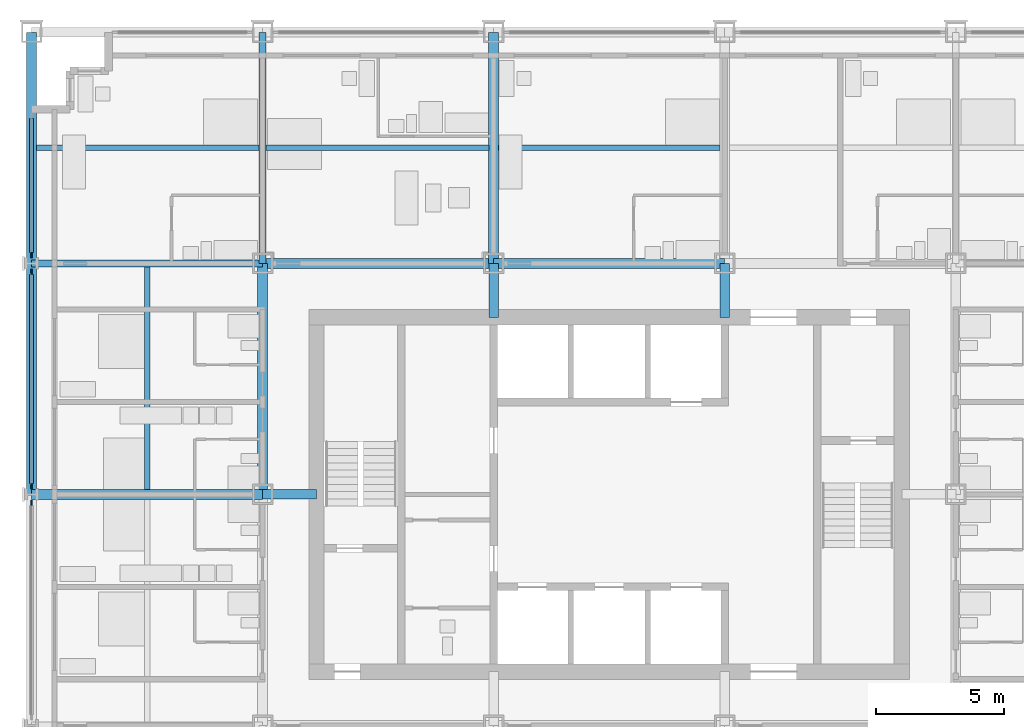
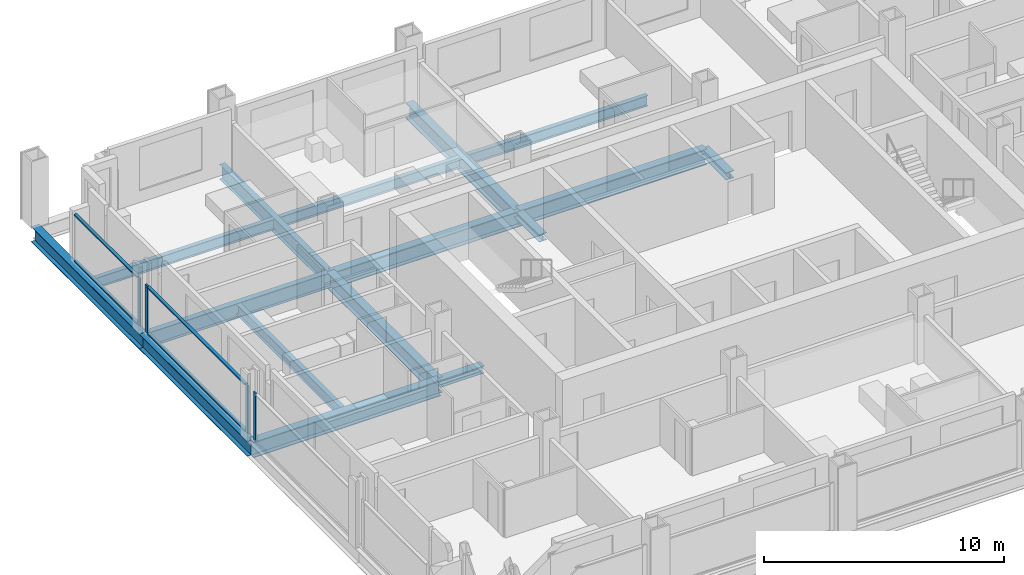
# One storey, part 4 of 16: 13 beams, 11 members, 3 elements without a shape of their own.
"""IFC4 building model written with IfcOpenShell, lengths in metres."""

from ifc_helpers import new_model, si_unit, direction, frame, origin, origin_2d, place, context, subcontext, project, spatial, rectangle, i_section, extrude, material, material_profile, profile_set, type_object, element, aggregate, save


model = new_model("IFC4")

# Units and contexts
model_context = context("Model", 3, precision=1e-05, world=origin(), true_north=direction((0.0, 1.0)))
body_context = subcontext(model_context, "Body", "Model", "MODEL_VIEW")
ifc_project = project(units=[si_unit("LENGTHUNIT", "METRE"), si_unit("AREAUNIT", "SQUARE_METRE"), si_unit("VOLUMEUNIT", "CUBIC_METRE"), si_unit("PLANEANGLEUNIT", "RADIAN"), si_unit("MASSUNIT", "GRAM", prefix="KILO")], contexts=[model_context])

# Site, building, storey
site_placement = place(None, origin())
site = spatial("IfcSite", under=ifc_project, at=site_placement, CompositionType="ELEMENT")
building_placement = place(site_placement, origin())
building = spatial("IfcBuilding", under=site, at=building_placement, Name="Loomwork Tower", CompositionType="ELEMENT")
storey_placement = place(building_placement, frame((0.0, 0.0, 111.199951171875)))
storey = spatial("IfcBuildingStorey", under=building, at=storey_placement, Name="L29", CompositionType="ELEMENT", Elevation=111.199951171875)

# Beams
ifc_material_1 = material(Name="Steel ASTM A992", Category="steel")
ifc_material_profile_1 = material_profile(ifc_material_1, i_section(OverallWidth=0.383544921875, OverallDepth=0.794921875, WebThickness=0.02099609375, FlangeThickness=0.0380859375, at=origin_2d()), Name="W30x235")
ifc_profile_set_1 = profile_set([ifc_material_profile_1], Name="Steel ASTM A992")
beam_type_1 = type_object("IfcBeamType", Name="CORE FLANK GIRDER W30x235", PredefinedType="BEAM", material=ifc_profile_set_1)
for number, where, z_axis, x_axis, name in (
    (1, (0.0, 18.0, -0.597412109375), (1.0, 0.0, 0.0), (0.0, 1.0, 0.0), "Core Flank Girder F/2-F/3 L29"),
    (2, (9.0, 27.0, -0.597412109375), (1.0, 0.0, 0.0), (0.0, 1.0, 0.0), "Core Flank Girder G/3-G/4 L29"),
    (3, (18.0, 27.0, -0.597412109375), (1.0, 0.0, 0.0), (0.0, 1.0, 0.0), "Core Flank Girder G/4-G/5 L29"),
    (4, (9.0, 18.0, -0.597412109375), (0.0, 1.0, 0.0), (-1.0, 0.0, 0.0), "Core Flank Girder F/3-G/3 L29"),
    (5, (18.0, 27.0, -0.597412109375), (0.0, 1.0, 0.0), (-1.0, 0.0, 0.0), "Core Flank Girder G/4-H/4 L29"),
):
    element("IfcBeam", number, at=place(storey_placement, frame(where, z_axis=z_axis, x_axis=x_axis)), inside=storey, type_object=beam_type_1, Name=name, PredefinedType="BEAM", context=body_context, shape_type="SweptSolid", body=[
        extrude(i_section(OverallWidth=0.383544921875, OverallDepth=0.794921875, WebThickness=0.02099609375, FlangeThickness=0.0380859375, at=origin_2d()), origin(), (0.0, 0.0, 1.0), 9.0),
    ])

# Members
ifc_material_2 = material(Name="Steel ASTM A992", Category="steel")
ifc_material_profile_2 = material_profile(ifc_material_2, i_section(OverallWidth=0.373291015625, OverallDepth=0.373291015625, WebThickness=0.016357421875, FlangeThickness=0.026123046875, at=origin_2d()), Name="W14x132")
ifc_profile_set_2 = profile_set([ifc_material_profile_2], Name="Steel ASTM A992")
member_type_1 = type_object("IfcMemberType", Name="CORE LINK STRUT W14x132", PredefinedType="STRUT", material=ifc_profile_set_2)
for number, where, z_axis, x_axis, name in (
    (6, (27.0, 27.0, -0.38671875), (0.0, -1.0, 0.0), (1.0, 0.0, 0.0), "Core link strut G/5-27.000,24.900 L29"),
    (7, (18.0, 27.0, -0.38671875), (0.0, -1.0, 0.0), (1.0, 0.0, 0.0), "Core link strut G/4-18.000,24.900 L29"),
    (8, (9.0, 18.0, -0.38671875), (1.0, 0.0, 0.0), (0.0, 1.0, 0.0), "Core link strut F/3-11.100,18.000 L29"),
):
    element("IfcMember", number, at=place(storey_placement, frame(where, z_axis=z_axis, x_axis=x_axis)), inside=storey, type_object=member_type_1, Name=name, PredefinedType="STRUT", context=body_context, shape_type="SweptSolid", body=[
        extrude(i_section(OverallWidth=0.373291015625, OverallDepth=0.373291015625, WebThickness=0.016357421875, FlangeThickness=0.026123046875, at=origin_2d()), origin(), (0.0, 0.0, 1.0), 2.10009765625),
    ])

# Beams
ifc_material_3 = material(Name="Steel ASTM A992", Category="steel")
ifc_material_profile_3 = material_profile(ifc_material_3, i_section(OverallWidth=0.2666015625, OverallDepth=0.761962890625, WebThickness=0.014404296875, FlangeThickness=0.021484375, at=origin_2d()), Name="W30x116")
ifc_profile_set_3 = profile_set([ifc_material_profile_3], Name="Steel ASTM A992")
beam_type_2 = type_object("IfcBeamType", Name="FLOOR GIRDER W30x116", PredefinedType="BEAM", material=ifc_profile_set_3)
for number, where, z_axis, x_axis, name in (
    (9, (0.0, 27.0, -0.5810546875), (1.0, 0.0, 0.0), (0.0, 1.0, 0.0), "Floor Girder G/2-G/3 L29"),
    (10, (9.0, 27.0, -0.5810546875), (0.0, 1.0, 0.0), (-1.0, 0.0, 0.0), "Floor Girder G/3-H/3 L29"),
):
    element("IfcBeam", number, at=place(storey_placement, frame(where, z_axis=z_axis, x_axis=x_axis)), inside=storey, type_object=beam_type_2, Name=name, PredefinedType="BEAM", context=body_context, shape_type="SweptSolid", body=[
        extrude(i_section(OverallWidth=0.2666015625, OverallDepth=0.761962890625, WebThickness=0.014404296875, FlangeThickness=0.021484375, at=origin_2d()), origin(), (0.0, 0.0, 1.0), 9.0),
    ])
ifc_material_4 = material(Name="Steel ASTM A992", Category="steel")
ifc_material_profile_4 = material_profile(ifc_material_4, i_section(OverallWidth=0.2109375, OverallDepth=0.53857421875, WebThickness=0.011474609375, FlangeThickness=0.018798828125, at=origin_2d()), Name="W21x73")
ifc_profile_set_4 = profile_set([ifc_material_profile_4], Name="Steel ASTM A992")
beam_type_3 = type_object("IfcBeamType", Name="FLOOR JOIST W21x73", PredefinedType="JOIST", material=ifc_profile_set_4)
beam_1_placement = place(storey_placement, frame((4.5, 18.19091796875, -0.46923828125), z_axis=(0.0, 1.0, 0.0), x_axis=(-1.0, 0.0, 0.0)))
element("IfcBeam", 11, at=beam_1_placement, inside=storey, type_object=beam_type_3, Name="Floor Joist 4.500,18.000-4.500,27.000 L29", PredefinedType="JOIST", context=body_context, shape_type="SweptSolid", body=[
    extrude(i_section(OverallWidth=0.2109375, OverallDepth=0.53857421875, WebThickness=0.011474609375, FlangeThickness=0.018798828125, at=origin_2d()), origin(), (0.0, 0.0, 1.0), 8.676025390625),
])
beam_2_placement = place(storey_placement, frame((0.18994140625, 31.5, -0.46923828125), z_axis=(1.0, 0.0, 0.0), x_axis=(0.0, 1.0, 0.0)))
element("IfcBeam", 12, at=beam_2_placement, inside=storey, type_object=beam_type_3, Name="Floor Joist 0.000,31.500-9.000,31.500 L29", PredefinedType="JOIST", context=body_context, shape_type="SweptSolid", body=[
    extrude(i_section(OverallWidth=0.2109375, OverallDepth=0.53857421875, WebThickness=0.011474609375, FlangeThickness=0.018798828125, at=origin_2d()), origin(), (0.0, 0.0, 1.0), 8.677001953125),
])
beam_3_placement = place(storey_placement, frame((9.133056640625, 31.5, -0.46923828125), z_axis=(1.0, 0.0, 0.0), x_axis=(0.0, 1.0, 0.0)))
element("IfcBeam", 13, at=beam_3_placement, inside=storey, type_object=beam_type_3, Name="Floor Joist 9.000,31.500-18.000,31.500 L29", PredefinedType="JOIST", context=body_context, shape_type="SweptSolid", body=[
    extrude(i_section(OverallWidth=0.2109375, OverallDepth=0.53857421875, WebThickness=0.011474609375, FlangeThickness=0.018798828125, at=origin_2d()), origin(), (0.0, 0.0, 1.0), 8.676025390625),
])
beam_4_placement = place(storey_placement, frame((18.19091796875, 31.5, -0.46923828125), z_axis=(1.0, 0.0, 0.0), x_axis=(0.0, 1.0, 0.0)))
element("IfcBeam", 14, at=beam_4_placement, inside=storey, type_object=beam_type_3, Name="Floor Joist 18.000,31.500-27.000,31.500 L29", PredefinedType="JOIST", context=body_context, shape_type="SweptSolid", body=[
    extrude(i_section(OverallWidth=0.2109375, OverallDepth=0.53857421875, WebThickness=0.011474609375, FlangeThickness=0.018798828125, at=origin_2d()), origin(), (0.0, 0.0, 1.0), 8.6181640625),
])

# Curtain wall, member
ifc_material_5 = material(Name="Aluminium curtain wall frame", Category="aluminium")
curtain_wall_type = type_object("IfcCurtainWallType", Name="Outer skin glazing hotel", PredefinedType="NOTDEFINED", material=ifc_material_5)
curtain_wall_1_placement = place(storey_placement, origin())
curtain_wall_1 = element("IfcCurtainWall", 15, at=curtain_wall_1_placement, inside=storey, type_object=curtain_wall_type, Name="Outer skin glazing hotel cw/W-9", PredefinedType="NOTDEFINED")
ifc_material_6 = material(Name="Aluminium curtain wall frame", Category="aluminium")
ifc_material_profile_5 = material_profile(ifc_material_6, rectangle(XDim=0.06494140625, YDim=0.199951171875, at=origin_2d()), Name="AL 65x200")
ifc_profile_set_5 = profile_set([ifc_material_profile_5], Name="Aluminium curtain wall frame")
member_type_2 = type_object("IfcMemberType", Name="Outer skin glazing hotel mullion", PredefinedType="MULLION", material=ifc_profile_set_5)
member_1_placement = place(storey_placement, frame((0.0, 17.67529296875, 0.0), z_axis=(0.0, 0.0, 1.0), x_axis=(1.0, 0.0, 0.0)))
member_1 = element("IfcMember", 16, at=member_1_placement, type_object=member_type_2, Name="CW1 mullion 1", PredefinedType="MULLION", context=body_context, shape_type="SweptSolid", body=[
    extrude(rectangle(XDim=0.06494140625, YDim=0.199951171875, at=origin_2d()), origin(), (0.0, 0.0, 1.0), 2.420166015625),
])
aggregate(curtain_wall_1, [member_1])

# Curtain wall, members
curtain_wall_2_placement = place(storey_placement, origin())
curtain_wall_2 = element("IfcCurtainWall", 17, at=curtain_wall_2_placement, inside=storey, type_object=curtain_wall_type, Name="Outer skin glazing hotel cw/W-18", PredefinedType="NOTDEFINED")
member_2_placement = place(storey_placement, frame((0.0, 26.67529296875, 0.0), z_axis=(0.0, 0.0, 1.0), x_axis=(1.0, 0.0, 0.0)))
member_2 = element("IfcMember", 18, at=member_2_placement, type_object=member_type_2, Name="CW1 mullion 1", PredefinedType="MULLION", context=body_context, shape_type="SweptSolid", body=[
    extrude(rectangle(XDim=0.06494140625, YDim=0.199951171875, at=origin_2d()), origin(), (0.0, 0.0, 1.0), 2.420166015625),
])
member_3_placement = place(storey_placement, frame((0.0, 18.32470703125, 0.0), z_axis=(0.0, 0.0, 1.0), x_axis=(1.0, 0.0, 0.0)))
member_3 = element("IfcMember", 19, at=member_3_placement, type_object=member_type_2, Name="CW1 mullion 2", PredefinedType="MULLION", context=body_context, shape_type="SweptSolid", body=[
    extrude(rectangle(XDim=0.06494140625, YDim=0.199951171875, at=origin_2d()), origin(), (0.0, 0.0, 1.0), 2.420166015625),
])

# Curtain wall, member
curtain_wall_3_placement = place(storey_placement, origin())
curtain_wall_3 = element("IfcCurtainWall", 20, at=curtain_wall_3_placement, inside=storey, type_object=curtain_wall_type, Name="Outer skin glazing hotel cw/W-27", PredefinedType="NOTDEFINED")
member_4_placement = place(storey_placement, frame((0.0, 27.32470703125, 0.0), z_axis=(0.0, 0.0, 1.0), x_axis=(1.0, 0.0, 0.0)))
member_4 = element("IfcMember", 21, at=member_4_placement, type_object=member_type_2, Name="CW1 mullion 2", PredefinedType="MULLION", context=body_context, shape_type="SweptSolid", body=[
    extrude(rectangle(XDim=0.06494140625, YDim=0.199951171875, at=origin_2d()), origin(), (0.0, 0.0, 1.0), 2.420166015625),
])

# Member
ifc_material_7 = material(Name="Aluminium curtain wall frame", Category="aluminium")
ifc_material_profile_6 = material_profile(ifc_material_7, rectangle(XDim=0.14990234375, YDim=0.06494140625, at=origin_2d()), Name="AL 65x150")
ifc_profile_set_6 = profile_set([ifc_material_profile_6], Name="Aluminium curtain wall frame")
member_type_3 = type_object("IfcMemberType", Name="Outer skin glazing hotel transom", PredefinedType="USERDEFINED", material=ifc_profile_set_6)
member_5_placement = place(storey_placement, frame((0.0, 26.5751953125, 0.032470703125), z_axis=(0.0, -1.0, 0.0), x_axis=(1.0, 0.0, 0.0)))
member_5 = element("IfcMember", 22, at=member_5_placement, type_object=member_type_3, Name="CW1 transom 1.1", ObjectType="TRANSOM", PredefinedType="USERDEFINED", context=body_context, shape_type="SweptSolid", body=[
    extrude(rectangle(XDim=0.14990234375, YDim=0.06494140625, at=origin_2d()), origin(), (0.0, 0.0, 1.0), 8.150390625),
])

member_6_placement = place(storey_placement, frame((0.0, 26.5751953125, 2.3876953125), z_axis=(0.0, -1.0, 0.0), x_axis=(1.0, 0.0, 0.0)))
member_6 = element("IfcMember", 23, at=member_6_placement, type_object=member_type_3, Name="CW1 transom 1.2", ObjectType="TRANSOM", PredefinedType="USERDEFINED", context=body_context, shape_type="SweptSolid", body=[
    extrude(rectangle(XDim=0.14990234375, YDim=0.06494140625, at=origin_2d()), origin(), (0.0, 0.0, 1.0), 8.150390625),
])

aggregate(curtain_wall_2, [member_2, member_3, member_5, member_6])

member_7_placement = place(storey_placement, frame((0.0, 32.64990234375, 0.032470703125), z_axis=(0.0, -1.0, 0.0), x_axis=(1.0, 0.0, 0.0)))
member_7 = element("IfcMember", 24, at=member_7_placement, type_object=member_type_3, Name="CW1 transom 1.1", ObjectType="TRANSOM", PredefinedType="USERDEFINED", context=body_context, shape_type="SweptSolid", body=[
    extrude(rectangle(XDim=0.14990234375, YDim=0.06494140625, at=origin_2d()), origin(), (0.0, 0.0, 1.0), 5.22509765625),
])

member_8_placement = place(storey_placement, frame((0.0, 32.64990234375, 2.3876953125), z_axis=(0.0, -1.0, 0.0), x_axis=(1.0, 0.0, 0.0)))
member_8 = element("IfcMember", 25, at=member_8_placement, type_object=member_type_3, Name="CW1 transom 1.2", ObjectType="TRANSOM", PredefinedType="USERDEFINED", context=body_context, shape_type="SweptSolid", body=[
    extrude(rectangle(XDim=0.14990234375, YDim=0.06494140625, at=origin_2d()), origin(), (0.0, 0.0, 1.0), 5.22509765625),
])

aggregate(curtain_wall_3, [member_4, member_7, member_8])

# Beams
ifc_material_8 = material(Name="Steel ASTM A992", Category="steel")
ifc_material_profile_7 = material_profile(ifc_material_8, i_section(OverallWidth=0.381103515625, OverallDepth=0.77978515625, WebThickness=0.01806640625, FlangeThickness=0.0302734375, at=origin_2d()), Name="W30x191")
ifc_profile_set_7 = profile_set([ifc_material_profile_7], Name="Steel ASTM A992")
beam_type_4 = type_object("IfcBeamType", Name="SPANDREL GIRDER W30x191", PredefinedType="SPANDREL", material=ifc_profile_set_7)
for number, where, z_axis, x_axis, name in (
    (26, (0.0, 18.0, -0.58984375), (0.0, 1.0, 0.0), (-1.0, 0.0, 0.0), "Spandrel Girder F/2-G/2 L29"),
    (27, (0.0, 27.0, -0.58984375), (0.0, 1.0, 0.0), (-1.0, 0.0, 0.0), "Spandrel Girder G/2-H/2 L29"),
):
    element("IfcBeam", number, at=place(storey_placement, frame(where, z_axis=z_axis, x_axis=x_axis)), inside=storey, type_object=beam_type_4, Name=name, PredefinedType="SPANDREL", context=body_context, shape_type="SweptSolid", body=[
        extrude(i_section(OverallWidth=0.381103515625, OverallDepth=0.77978515625, WebThickness=0.01806640625, FlangeThickness=0.0302734375, at=origin_2d()), origin(), (0.0, 0.0, 1.0), 9.0),
    ])

save(model, "model.ifc")
